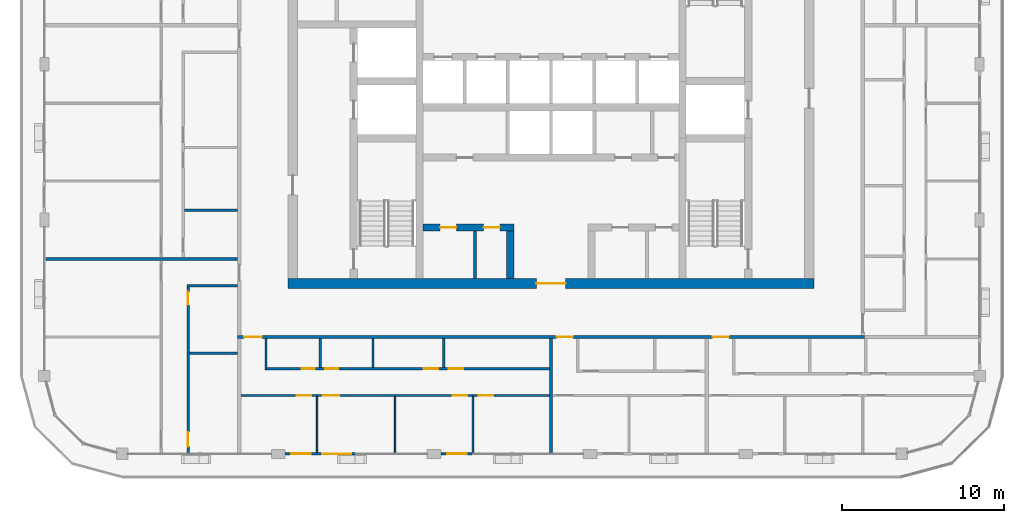
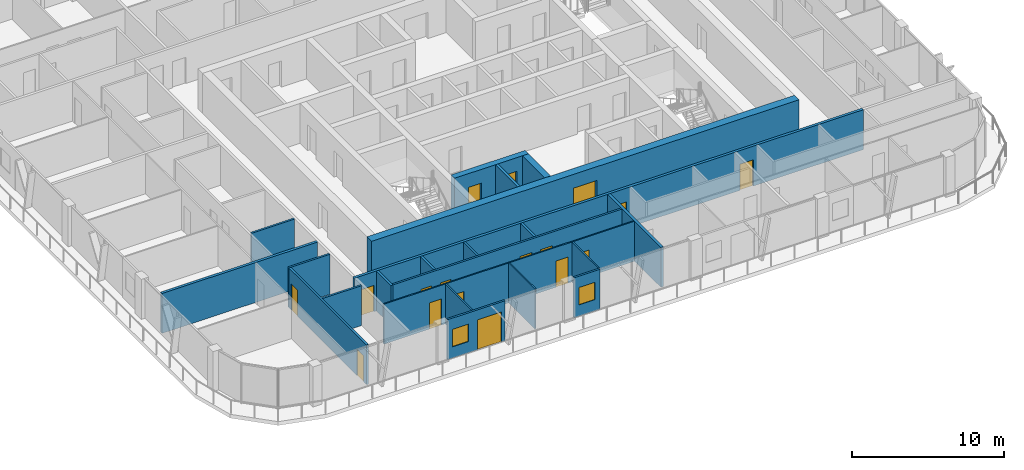
# One storey, part 9 of 21: 22 walls, 17 doors, 2 windows, 19 openings.
"""IFC4 building model written with IfcOpenShell, lengths in metres."""

from ifc_helpers import new_model, si_unit, direction, frame, frame_2d, origin, place, context, subcontext, project, spatial, rectangle, extrude, material, layer, layer_set, type_object, element, fill, save


model = new_model("IFC4")

# Units and contexts
model_context = context("Model", 3, precision=1e-05, world=origin(), true_north=direction((0.0, 1.0)))
body_context = subcontext(model_context, "Body", "Model", "MODEL_VIEW")
ifc_project = project(units=[si_unit("LENGTHUNIT", "METRE"), si_unit("AREAUNIT", "SQUARE_METRE"), si_unit("VOLUMEUNIT", "CUBIC_METRE"), si_unit("PLANEANGLEUNIT", "RADIAN"), si_unit("MASSUNIT", "GRAM", prefix="KILO")], contexts=[model_context])

# Site, building, storey
site_placement = place(None, origin())
site = spatial("IfcSite", under=ifc_project, at=site_placement, CompositionType="ELEMENT")
building_placement = place(site_placement, origin())
building = spatial("IfcBuilding", under=site, at=building_placement, Name="Madar Terraces", CompositionType="ELEMENT")
storey_placement = place(building_placement, frame((0.0, 0.0, 238.699951171875)))
storey = spatial("IfcBuildingStorey", under=building, at=storey_placement, Name="L62", CompositionType="ELEMENT", Elevation=238.699951171875)

# Wall, openings, doors
ifc_material_1 = material(Name="Concrete C55/67", Category="concrete")
ifc_layer_1 = layer(ifc_material_1, 0.449951171875)
ifc_layer_set_1 = layer_set([ifc_layer_1], Name="Concrete C55/67 (CIW5 RC wall 450)")
wall_type_1 = type_object("IfcWallType", Name="CIW5 RC wall 450", PredefinedType="SHEAR", material=ifc_layer_set_1)
wall_1_placement = place(storey_placement, frame((23.324951171875, 18.75, 0.0), z_axis=(0.0, 0.0, 1.0), x_axis=(1.0, 0.0, 0.0)))
wall_1 = element("IfcWall", 1, at=wall_1_placement, inside=storey, type_object=wall_type_1, Name="CORE SHAFT WALL", PredefinedType="SHEAR", context=body_context, shape_type="SweptSolid", body=[
    extrude(rectangle(XDim=5.60009765625, YDim=0.449951171875, at=frame_2d((2.800048828125, 0.0))), origin(), (0.0, 0.0, 1.0), 3.199951171875),
])
opening_1_placement = place(wall_1_placement, frame((1.04638671875, 0.0, 0.0)))
opening_1 = element("IfcOpeningElement", 2, at=opening_1_placement, cuts=wall_1, Name="Opening KD2", PredefinedType="OPENING", context=body_context, shape_type="SweptSolid", body=[
    extrude(rectangle(XDim=1.0, YDim=2.10009765625, at=frame_2d((0.5, 1.050048828125))), frame((0.0, 0.23486328125, 0.0), z_axis=(0.0, -1.0, 0.0), x_axis=(1.0, 0.0, 0.0)), (0.0, 0.0, 1.0), 0.469970703125),
])
opening_2_placement = place(wall_1_placement, frame((3.721435546875, 0.0, 0.0)))
opening_2 = element("IfcOpeningElement", 3, at=opening_2_placement, cuts=wall_1, Name="Opening KD2", PredefinedType="OPENING", context=body_context, shape_type="SweptSolid", body=[
    extrude(rectangle(XDim=1.0, YDim=2.10009765625, at=frame_2d((0.5, 1.050048828125))), frame((0.0, 0.23486328125, 0.0), z_axis=(0.0, -1.0, 0.0), x_axis=(1.0, 0.0, 0.0)), (0.0, 0.0, 1.0), 0.469970703125),
])
ifc_material_2 = material(Name="Steel door leaf", Category="steel")
door_type_1 = type_object("IfcDoorType", Name="Service room door 1000 x 2100", OperationType="NOTDEFINED", PredefinedType="DOOR", material=ifc_material_2)
door_1_placement = place(opening_1_placement, origin())
door_1 = element("IfcDoor", 4, at=door_1_placement, inside=storey, type_object=door_type_1, Name="SERVICE ROOM DOOR", OperationType="SINGLE_SWING_RIGHT", OverallHeight=2.10009765625, OverallWidth=1.0, PredefinedType="DOOR", context=body_context, shape_type="SweptSolid", body=[
    extrude(rectangle(XDim=1.0, YDim=2.10009765625, at=frame_2d((0.5, 1.050048828125))), frame((0.0, 0.02490234375, 0.0), z_axis=(0.0, -1.0, 0.0), x_axis=(1.0, 0.0, 0.0)), (0.0, 0.0, 1.0), 0.050048828125),
])
fill(opening_1, door_1)
door_2_placement = place(opening_2_placement, origin())
door_2 = element("IfcDoor", 5, at=door_2_placement, inside=storey, type_object=door_type_1, Name="SERVICE ROOM DOOR", OperationType="SINGLE_SWING_LEFT", OverallHeight=2.10009765625, OverallWidth=1.0, PredefinedType="DOOR", context=body_context, shape_type="SweptSolid", body=[
    extrude(rectangle(XDim=1.0, YDim=2.10009765625, at=frame_2d((0.5, 1.050048828125))), frame((0.0, 0.02490234375, 0.0), z_axis=(0.0, -1.0, 0.0), x_axis=(1.0, 0.0, 0.0)), (0.0, 0.0, 1.0), 0.050048828125),
])
fill(opening_2, door_2)

# Wall
wall_2_placement = place(storey_placement, frame((28.699951171875, 15.60009765625, 0.0), z_axis=(0.0, 0.0, 1.0), x_axis=(0.0, 1.0, 0.0)))
element("IfcWall", 6, at=wall_2_placement, inside=storey, type_object=wall_type_1, Name="CORE SHAFT WALL", PredefinedType="SHEAR", context=body_context, shape_type="SweptSolid", body=[
    extrude(rectangle(XDim=2.9248046875, YDim=0.449951171875, at=frame_2d((1.46240234375, 0.0))), origin(), (0.0, 0.0, 1.0), 3.199951171875),
])

# Wall, opening, door
ifc_material_3 = material(Name="Concrete C55/67", Category="concrete")
ifc_layer_2 = layer(ifc_material_3, 0.60009765625)
ifc_layer_set_2 = layer_set([ifc_layer_2], Name="Concrete C55/67 (CRW5 RC wall 600)")
wall_type_2 = type_object("IfcWallType", Name="CRW5 RC wall 600", PredefinedType="SHEAR", material=ifc_layer_set_2)
wall_3_placement = place(storey_placement, frame((15.0, 15.300048828125, 0.0), z_axis=(0.0, 0.0, 1.0), x_axis=(1.0, 0.0, 0.0)))
wall_3 = element("IfcWall", 7, at=wall_3_placement, inside=storey, type_object=wall_type_2, Name="CORE OUTER WALL", PredefinedType="SHEAR", context=body_context, shape_type="SweptSolid", body=[
    extrude(rectangle(XDim=32.39990234375, YDim=0.60009765625, at=frame_2d((16.199951171875, 0.0))), origin(), (0.0, 0.0, 1.0), 3.199951171875),
])
opening_3_placement = place(wall_3_placement, frame((15.300048828125, 0.0, 0.0)))
opening_3 = element("IfcOpeningElement", 8, at=opening_3_placement, cuts=wall_3, Name="Opening KD1", PredefinedType="OPENING", context=body_context, shape_type="SweptSolid", body=[
    extrude(rectangle(XDim=1.800048828125, YDim=2.10009765625, at=frame_2d((0.89990234375, 1.050048828125))), frame((0.0, 0.31005859375, 0.0), z_axis=(0.0, -1.0, 0.0), x_axis=(1.0, 0.0, 0.0)), (0.0, 0.0, 1.0), 0.6201171875),
])
ifc_material_4 = material(Name="Steel door leaf", Category="steel")
door_type_2 = type_object("IfcDoorType", Name="Lobby door pair 1800 x 2100", OperationType="DOUBLE_DOOR_SINGLE_SWING", PredefinedType="DOOR", material=ifc_material_4)
door_3_placement = place(opening_3_placement, frame((1.800048828125, 0.0, 0.0), z_axis=(0.0, 0.0, 1.0), x_axis=(-1.0, 0.0, 0.0)))
door_3 = element("IfcDoor", 9, at=door_3_placement, inside=storey, type_object=door_type_2, Name="LIFT LOBBY DOOR", OperationType="DOUBLE_DOOR_SINGLE_SWING", OverallHeight=2.10009765625, OverallWidth=1.800048828125, PredefinedType="DOOR", context=body_context, shape_type="SweptSolid", body=[
    extrude(rectangle(XDim=1.800048828125, YDim=2.10009765625, at=frame_2d((0.89990234375, 1.050048828125))), frame((0.0, 0.02490234375, 0.0), z_axis=(0.0, -1.0, 0.0), x_axis=(1.0, 0.0, 0.0)), (0.0, 0.0, 1.0), 0.050048828125),
])
fill(opening_3, door_3)

# Wall
ifc_material_5 = material(Name="Masonry blockwork", Category="masonry")
ifc_layer_3 = layer(ifc_material_5, 0.199951171875)
ifc_layer_set_3 = layer_set([ifc_layer_3], Name="Core partition 200 blockwork")
wall_type_3 = type_object("IfcWallType", Name="Core partition 200 blockwork", PredefinedType="PARTITIONING", material=ifc_layer_set_3)
wall_4_placement = place(storey_placement, frame((26.51806640625, 15.60009765625, 0.0), z_axis=(0.0, 0.0, 1.0), x_axis=(0.0, 1.0, 0.0)))
element("IfcWall", 10, at=wall_4_placement, inside=storey, type_object=wall_type_3, Name="SERVICE ROOM PARTITION", PredefinedType="PARTITIONING", context=body_context, shape_type="SweptSolid", body=[
    extrude(rectangle(XDim=2.9248046875, YDim=0.199951171875, at=frame_2d((1.46240234375, 0.0))), origin(), (0.0, 0.0, 1.0), 3.199951171875),
])

# Wall, openings, door, window
ifc_material_6 = material(Name="Aluminium composite panel, black, over insulated backing", Category="aluminium")
ifc_layer_4 = layer(ifc_material_6, 0.14990234375)
ifc_layer_set_4 = layer_set([ifc_layer_4], Name="Facade bay panel 150")
wall_type_4 = type_object("IfcWallType", Name="Facade bay panel 150", PredefinedType="SOLIDWALL", material=ifc_layer_set_4)
wall_5_placement = place(storey_placement, frame((14.824951171875, 4.800048828125, 0.0), z_axis=(0.0, 0.0, 1.0), x_axis=(1.0, 0.0, 0.0)))
wall_5 = element("IfcWall", 11, at=wall_5_placement, inside=storey, type_object=wall_type_4, Name="Facade bay panel", PredefinedType="SOLIDWALL", context=body_context, shape_type="SweptSolid", body=[
    extrude(rectangle(XDim=4.375, YDim=0.14990234375, at=frame_2d((2.1875, 0.0))), origin(), (0.0, 0.0, 1.0), 3.199951171875),
])
opening_4_placement = place(wall_5_placement, frame((0.387451171875, 0.0, 0.89990234375)))
opening_4 = element("IfcOpeningElement", 12, at=opening_4_placement, cuts=wall_5, Name="Opening W1", PredefinedType="OPENING", context=body_context, shape_type="SweptSolid", body=[
    extrude(rectangle(XDim=1.199951171875, YDim=1.39990234375, at=frame_2d((0.60009765625, 0.699951171875))), frame((0.0, 0.0849609375, 0.0), z_axis=(0.0, -1.0, 0.0), x_axis=(1.0, 0.0, 0.0)), (0.0, 0.0, 1.0), 0.169921875),
])
opening_5_placement = place(wall_5_placement, frame((2.27490234375, 0.0, 0.0)))
opening_5 = element("IfcOpeningElement", 13, at=opening_5_placement, cuts=wall_5, Name="Opening ED1", PredefinedType="OPENING", context=body_context, shape_type="SweptSolid", body=[
    extrude(rectangle(XDim=1.800048828125, YDim=2.39990234375, at=frame_2d((0.89990234375, 1.199951171875))), frame((0.0, 0.0849609375, 0.0), z_axis=(0.0, -1.0, 0.0), x_axis=(1.0, 0.0, 0.0)), (0.0, 0.0, 1.0), 0.169921875),
])
ifc_material_7 = material(Name="Glass, clear, with black aluminium frame", Category="aluminium")
door_type_3 = type_object("IfcDoorType", Name="Balcony and terrace sliding door 1800 x 2400", OperationType="SLIDING_TO_LEFT", PredefinedType="DOOR", material=ifc_material_7)
door_4_placement = place(opening_5_placement, origin())
door_4 = element("IfcDoor", 14, at=door_4_placement, inside=storey, type_object=door_type_3, Name="Balcony door", OperationType="SLIDING_TO_LEFT", OverallHeight=2.39990234375, OverallWidth=1.800048828125, PredefinedType="DOOR", context=body_context, shape_type="SweptSolid", body=[
    extrude(rectangle(XDim=1.800048828125, YDim=2.39990234375, at=frame_2d((0.89990234375, 1.199951171875))), frame((0.0, 0.02490234375, 0.0), z_axis=(0.0, -1.0, 0.0), x_axis=(1.0, 0.0, 0.0)), (0.0, 0.0, 1.0), 0.050048828125),
])
fill(opening_5, door_4)
ifc_material_8 = material(Name="Glass, clear, with black aluminium frame", Category="aluminium")
window_type = type_object("IfcWindowType", Name="Vent window 1200 x 1400", PartitioningType="SINGLE_PANEL", PredefinedType="WINDOW", material=ifc_material_8)
window_1_placement = place(opening_4_placement, origin())
window_1 = element("IfcWindow", 15, at=window_1_placement, inside=storey, type_object=window_type, Name="Operable vent window", OverallHeight=1.39990234375, OverallWidth=1.199951171875, PartitioningType="SINGLE_PANEL", PredefinedType="WINDOW", context=body_context, shape_type="SweptSolid", body=[
    extrude(rectangle(XDim=1.199951171875, YDim=1.39990234375, at=frame_2d((0.60009765625, 0.699951171875))), frame((0.0, 0.030029296875, 0.0), z_axis=(0.0, -1.0, 0.0), x_axis=(1.0, 0.0, 0.0)), (0.0, 0.0, 1.0), 0.06005859375),
])
fill(opening_4, window_1)

# Wall, opening, window
wall_6_placement = place(storey_placement, frame((24.425048828125, 4.800048828125, 0.0), z_axis=(0.0, 0.0, 1.0), x_axis=(1.0, 0.0, 0.0)))
wall_6 = element("IfcWall", 16, at=wall_6_placement, inside=storey, type_object=wall_type_4, Name="Facade bay panel", PredefinedType="SOLIDWALL", context=body_context, shape_type="SweptSolid", body=[
    extrude(rectangle(XDim=1.974853515625, YDim=0.14990234375, at=frame_2d((0.9873046875, 0.0))), origin(), (0.0, 0.0, 1.0), 3.199951171875),
])
opening_6_placement = place(wall_6_placement, frame((0.387451171875, 0.0, 0.89990234375)))
opening_6 = element("IfcOpeningElement", 17, at=opening_6_placement, cuts=wall_6, Name="Opening W1", PredefinedType="OPENING", context=body_context, shape_type="SweptSolid", body=[
    extrude(rectangle(XDim=1.199951171875, YDim=1.39990234375, at=frame_2d((0.60009765625, 0.699951171875))), frame((0.0, 0.0849609375, 0.0), z_axis=(0.0, -1.0, 0.0), x_axis=(1.0, 0.0, 0.0)), (0.0, 0.0, 1.0), 0.169921875),
])
window_2_placement = place(opening_6_placement, origin())
window_2 = element("IfcWindow", 18, at=window_2_placement, inside=storey, type_object=window_type, Name="Operable vent window", OverallHeight=1.39990234375, OverallWidth=1.199951171875, PartitioningType="SINGLE_PANEL", PredefinedType="WINDOW", context=body_context, shape_type="SweptSolid", body=[
    extrude(rectangle(XDim=1.199951171875, YDim=1.39990234375, at=frame_2d((0.60009765625, 0.699951171875))), frame((0.0, 0.030029296875, 0.0), z_axis=(0.0, -1.0, 0.0), x_axis=(1.0, 0.0, 0.0)), (0.0, 0.0, 1.0), 0.06005859375),
])
fill(opening_6, window_2)

# Walls
ifc_material_9 = material(Name="Gypsum board on steel studs", Category="steel")
ifc_layer_5 = layer(ifc_material_9, 0.10009765625)
ifc_layer_set_5 = layer_set([ifc_layer_5], Name="Flat partition 100")
wall_type_5 = type_object("IfcWallType", Name="Flat partition 100", PredefinedType="PARTITIONING", material=ifc_layer_set_5)
for number, where, z_axis, x_axis, name in (
    (19, (16.800048828125, 8.35009765625, 0.0), (0.0, 0.0, 1.0), (0.0, -1.0, 0.0), "Flat partition 100"),
    (20, (21.60009765625, 8.35009765625, 0.0), (0.0, 0.0, 1.0), (0.0, -1.0, 0.0), "Flat partition 100"),
    (21, (26.39990234375, 8.35009765625, 0.0), (0.0, 0.0, 1.0), (0.0, -1.0, 0.0), "Flat partition 100"),
):
    element("IfcWall", number, at=place(storey_placement, frame(where, z_axis=z_axis, x_axis=x_axis)), inside=storey, type_object=wall_type_5, Name=name, PredefinedType="PARTITIONING", context=body_context, shape_type="SweptSolid", body=[
        extrude(rectangle(XDim=3.4501953125, YDim=0.10009765625, at=frame_2d((1.72509765625, 0.0))), origin(), (0.0, 0.0, 1.0), 3.199951171875),
    ])

# Wall, openings, doors
wall_7_placement = place(storey_placement, frame((31.10009765625, 8.39990234375, 0.0), z_axis=(0.0, 0.0, 1.0), x_axis=(-1.0, 0.0, 0.0)))
wall_7 = element("IfcWall", 22, at=wall_7_placement, inside=storey, type_object=wall_type_5, Name="Flat partition 100", PredefinedType="PARTITIONING", context=body_context, shape_type="SweptSolid", body=[
    extrude(rectangle(XDim=19.0, YDim=0.10009765625, at=frame_2d((9.5, 0.0))), origin(), (0.0, 0.0, 1.0), 3.199951171875),
])
opening_7_placement = place(wall_7_placement, frame((14.64990234375, 0.0, 0.0)))
opening_7 = element("IfcOpeningElement", 23, at=opening_7_placement, cuts=wall_7, Name="Opening D2", PredefinedType="OPENING", context=body_context, shape_type="SweptSolid", body=[
    extrude(rectangle(XDim=0.89990234375, YDim=2.10009765625, at=frame_2d((0.449951171875, 1.050048828125))), frame((0.0, 0.06005859375, 0.0), z_axis=(0.0, -1.0, 0.0), x_axis=(1.0, 0.0, 0.0)), (0.0, 0.0, 1.0), 0.1201171875),
])
opening_8_placement = place(wall_7_placement, frame((12.949951171875, 0.0, 0.0)))
opening_8 = element("IfcOpeningElement", 24, at=opening_8_placement, cuts=wall_7, Name="Opening D3", PredefinedType="OPENING", context=body_context, shape_type="SweptSolid", body=[
    extrude(rectangle(XDim=1.0, YDim=2.10009765625, at=frame_2d((0.5, 1.050048828125))), frame((0.0, 0.06005859375, 0.0), z_axis=(0.0, -1.0, 0.0), x_axis=(1.0, 0.0, 0.0)), (0.0, 0.0, 1.0), 0.1201171875),
])
opening_9_placement = place(wall_7_placement, frame((5.050048828125, 0.0, 0.0)))
opening_9 = element("IfcOpeningElement", 25, at=opening_9_placement, cuts=wall_7, Name="Opening D2", PredefinedType="OPENING", context=body_context, shape_type="SweptSolid", body=[
    extrude(rectangle(XDim=0.89990234375, YDim=2.10009765625, at=frame_2d((0.449951171875, 1.050048828125))), frame((0.0, 0.06005859375, 0.0), z_axis=(0.0, -1.0, 0.0), x_axis=(1.0, 0.0, 0.0)), (0.0, 0.0, 1.0), 0.1201171875),
])
opening_10_placement = place(wall_7_placement, frame((3.449951171875, 0.0, 0.0)))
opening_10 = element("IfcOpeningElement", 26, at=opening_10_placement, cuts=wall_7, Name="Opening D2", PredefinedType="OPENING", context=body_context, shape_type="SweptSolid", body=[
    extrude(rectangle(XDim=0.89990234375, YDim=2.10009765625, at=frame_2d((0.449951171875, 1.050048828125))), frame((0.0, 0.06005859375, 0.0), z_axis=(0.0, -1.0, 0.0), x_axis=(1.0, 0.0, 0.0)), (0.0, 0.0, 1.0), 0.1201171875),
])
ifc_material_10 = material(Name="Timber door leaf", Category="wood")
door_type_4 = type_object("IfcDoorType", Name="Flat living room door 1000", OperationType="NOTDEFINED", PredefinedType="DOOR", material=ifc_material_10)
door_5_placement = place(opening_8_placement, origin())
door_5 = element("IfcDoor", 27, at=door_5_placement, inside=storey, type_object=door_type_4, Name="Flat living room door 1000", OperationType="SINGLE_SWING_RIGHT", OverallHeight=2.10009765625, OverallWidth=1.0, PredefinedType="DOOR", context=body_context, shape_type="SweptSolid", body=[
    extrude(rectangle(XDim=1.0, YDim=2.10009765625, at=frame_2d((0.5, 1.050048828125))), frame((0.0, 0.02490234375, 0.0), z_axis=(0.0, -1.0, 0.0), x_axis=(1.0, 0.0, 0.0)), (0.0, 0.0, 1.0), 0.050048828125),
])
fill(opening_8, door_5)
ifc_material_11 = material(Name="Timber door leaf", Category="wood")
door_type_5 = type_object("IfcDoorType", Name="Flat room door 900", OperationType="NOTDEFINED", PredefinedType="DOOR", material=ifc_material_11)
door_6_placement = place(opening_7_placement, origin())
door_6 = element("IfcDoor", 28, at=door_6_placement, inside=storey, type_object=door_type_5, Name="Flat room door 900", OperationType="SINGLE_SWING_LEFT", OverallHeight=2.10009765625, OverallWidth=0.89990234375, PredefinedType="DOOR", context=body_context, shape_type="SweptSolid", body=[
    extrude(rectangle(XDim=0.89990234375, YDim=2.10009765625, at=frame_2d((0.449951171875, 1.050048828125))), frame((0.0, 0.02490234375, 0.0), z_axis=(0.0, -1.0, 0.0), x_axis=(1.0, 0.0, 0.0)), (0.0, 0.0, 1.0), 0.050048828125),
])
fill(opening_7, door_6)
door_7_placement = place(opening_9_placement, origin())
door_7 = element("IfcDoor", 29, at=door_7_placement, inside=storey, type_object=door_type_5, Name="Flat room door 900", OperationType="SINGLE_SWING_LEFT", OverallHeight=2.10009765625, OverallWidth=0.89990234375, PredefinedType="DOOR", context=body_context, shape_type="SweptSolid", body=[
    extrude(rectangle(XDim=0.89990234375, YDim=2.10009765625, at=frame_2d((0.449951171875, 1.050048828125))), frame((0.0, 0.02490234375, 0.0), z_axis=(0.0, -1.0, 0.0), x_axis=(1.0, 0.0, 0.0)), (0.0, 0.0, 1.0), 0.050048828125),
])
fill(opening_9, door_7)
door_8_placement = place(opening_10_placement, origin())
door_8 = element("IfcDoor", 30, at=door_8_placement, inside=storey, type_object=door_type_5, Name="Flat room door 900", OperationType="SINGLE_SWING_RIGHT", OverallHeight=2.10009765625, OverallWidth=0.89990234375, PredefinedType="DOOR", context=body_context, shape_type="SweptSolid", body=[
    extrude(rectangle(XDim=0.89990234375, YDim=2.10009765625, at=frame_2d((0.449951171875, 1.050048828125))), frame((0.0, 0.02490234375, 0.0), z_axis=(0.0, -1.0, 0.0), x_axis=(1.0, 0.0, 0.0)), (0.0, 0.0, 1.0), 0.050048828125),
])
fill(opening_10, door_8)

ifc_material_12 = material(Name="Lightweight blockwork", Category="masonry")
ifc_layer_6 = layer(ifc_material_12, 0.199951171875)
ifc_layer_set_6 = layer_set([ifc_layer_6], Name="Flat party and entrance wall 200")
wall_type_6 = type_object("IfcWallType", Name="Flat party and entrance wall 200", PredefinedType="PARTITIONING", material=ifc_layer_set_6)
wall_8_placement = place(storey_placement, frame((50.5, 12.0, 0.0), z_axis=(0.0, 0.0, 1.0), x_axis=(-1.0, 0.0, 0.0)))
wall_8 = element("IfcWall", 31, at=wall_8_placement, inside=storey, type_object=wall_type_6, Name="Flat party and entrance wall 200", PredefinedType="PARTITIONING", context=body_context, shape_type="SweptSolid", body=[
    extrude(rectangle(XDim=38.60009765625, YDim=0.199951171875, at=frame_2d((19.300048828125, 0.0))), origin(), (0.0, 0.0, 1.0), 3.199951171875),
])
opening_11_placement = place(wall_8_placement, frame((37.10009765625, 0.0, 0.0)))
opening_11 = element("IfcOpeningElement", 32, at=opening_11_placement, cuts=wall_8, Name="Opening D6", PredefinedType="OPENING", context=body_context, shape_type="SweptSolid", body=[
    extrude(rectangle(XDim=1.10009765625, YDim=2.10009765625, at=frame_2d((0.550048828125, 1.050048828125))), frame((0.0, 0.10986328125, 0.0), z_axis=(0.0, -1.0, 0.0), x_axis=(1.0, 0.0, 0.0)), (0.0, 0.0, 1.0), 0.219970703125),
])
opening_12_placement = place(wall_8_placement, frame((17.949951171875, 0.0, 0.0)))
opening_12 = element("IfcOpeningElement", 33, at=opening_12_placement, cuts=wall_8, Name="Opening D1", PredefinedType="OPENING", context=body_context, shape_type="SweptSolid", body=[
    extrude(rectangle(XDim=1.0, YDim=2.10009765625, at=frame_2d((0.5, 1.050048828125))), frame((0.0, 0.10986328125, 0.0), z_axis=(0.0, -1.0, 0.0), x_axis=(1.0, 0.0, 0.0)), (0.0, 0.0, 1.0), 0.219970703125),
])
opening_13_placement = place(wall_8_placement, frame((8.35009765625, 0.0, 0.0)))
opening_13 = element("IfcOpeningElement", 34, at=opening_13_placement, cuts=wall_8, Name="Opening D1", PredefinedType="OPENING", context=body_context, shape_type="SweptSolid", body=[
    extrude(rectangle(XDim=1.0, YDim=2.10009765625, at=frame_2d((0.5, 1.050048828125))), frame((0.0, 0.10986328125, 0.0), z_axis=(0.0, -1.0, 0.0), x_axis=(1.0, 0.0, 0.0)), (0.0, 0.0, 1.0), 0.219970703125),
])
ifc_material_13 = material(Name="Timber fire door leaf", Category="wood")
door_type_6 = type_object("IfcDoorType", Name="Flat entrance door 1000 FD30S", OperationType="NOTDEFINED", PredefinedType="DOOR", material=ifc_material_13)
door_9_placement = place(opening_12_placement, origin())
door_9 = element("IfcDoor", 35, at=door_9_placement, inside=storey, type_object=door_type_6, Name="Flat entrance door 1000 FD30S", OperationType="SINGLE_SWING_RIGHT", OverallHeight=2.10009765625, OverallWidth=1.0, PredefinedType="DOOR", context=body_context, shape_type="SweptSolid", body=[
    extrude(rectangle(XDim=1.0, YDim=2.10009765625, at=frame_2d((0.5, 1.050048828125))), frame((0.0, 0.02490234375, 0.0), z_axis=(0.0, -1.0, 0.0), x_axis=(1.0, 0.0, 0.0)), (0.0, 0.0, 1.0), 0.050048828125),
])
fill(opening_12, door_9)
door_10_placement = place(opening_13_placement, origin())
door_10 = element("IfcDoor", 36, at=door_10_placement, inside=storey, type_object=door_type_6, Name="Flat entrance door 1000 FD30S", OperationType="SINGLE_SWING_RIGHT", OverallHeight=2.10009765625, OverallWidth=1.0, PredefinedType="DOOR", context=body_context, shape_type="SweptSolid", body=[
    extrude(rectangle(XDim=1.0, YDim=2.10009765625, at=frame_2d((0.5, 1.050048828125))), frame((0.0, 0.02490234375, 0.0), z_axis=(0.0, -1.0, 0.0), x_axis=(1.0, 0.0, 0.0)), (0.0, 0.0, 1.0), 0.050048828125),
])
fill(opening_13, door_10)
ifc_material_14 = material(Name="Timber fire door leaf", Category="wood")
door_type_7 = type_object("IfcDoorType", Name="Flat entrance door 1100 FD30S", OperationType="NOTDEFINED", PredefinedType="DOOR", material=ifc_material_14)
door_11_placement = place(opening_11_placement, origin())
door_11 = element("IfcDoor", 37, at=door_11_placement, inside=storey, type_object=door_type_7, Name="Flat entrance door 1100 FD30S", OperationType="SINGLE_SWING_RIGHT", OverallHeight=2.10009765625, OverallWidth=1.10009765625, PredefinedType="DOOR", context=body_context, shape_type="SweptSolid", body=[
    extrude(rectangle(XDim=1.10009765625, YDim=2.10009765625, at=frame_2d((0.550048828125, 1.050048828125))), frame((0.0, 0.02490234375, 0.0), z_axis=(0.0, -1.0, 0.0), x_axis=(1.0, 0.0, 0.0)), (0.0, 0.0, 1.0), 0.050048828125),
])
fill(opening_11, door_11)

# Walls
wall_9_placement = place(storey_placement, frame((31.199951171875, 11.89990234375, 0.0), z_axis=(0.0, 0.0, 1.0), x_axis=(0.0, -1.0, 0.0)))
element("IfcWall", 38, at=wall_9_placement, inside=storey, type_object=wall_type_6, Name="Flat party and entrance wall 200", PredefinedType="PARTITIONING", context=body_context, shape_type="SweptSolid", body=[
    extrude(rectangle(XDim=7.0, YDim=0.199951171875, at=frame_2d((3.5, 0.0))), origin(), (0.0, 0.0, 1.0), 3.199951171875),
])
wall_10_placement = place(storey_placement, frame((0.10009765625, 16.800048828125, 0.0), z_axis=(0.0, 0.0, 1.0), x_axis=(1.0, 0.0, 0.0)))
element("IfcWall", 39, at=wall_10_placement, inside=storey, type_object=wall_type_6, Name="Flat party and entrance wall 200", PredefinedType="PARTITIONING", context=body_context, shape_type="SweptSolid", body=[
    extrude(rectangle(XDim=11.7998046875, YDim=0.199951171875, at=frame_2d((5.89990234375, 0.0))), origin(), (0.0, 0.0, 1.0), 3.199951171875),
])
ifc_material_15 = material(Name="Lightweight blockwork", Category="masonry")
ifc_layer_7 = layer(ifc_material_15, 0.14990234375)
ifc_layer_set_7 = layer_set([ifc_layer_7], Name="Flat wet-room partition 150")
wall_type_7 = type_object("IfcWallType", Name="Flat wet-room partition 150", PredefinedType="PARTITIONING", material=ifc_layer_set_7)
for number, where, z_axis, x_axis, name in (
    (40, (16.98291015625, 11.89990234375, 0.0), (0.0, 0.0, 1.0), (0.0, -1.0, 0.0), "Flat wet-room partition 150"),
    (41, (20.240478515625, 11.89990234375, 0.0), (0.0, 0.0, 1.0), (0.0, -1.0, 0.0), "Flat wet-room partition 150"),
    (42, (24.58447265625, 11.89990234375, 0.0), (0.0, 0.0, 1.0), (0.0, -1.0, 0.0), "Flat wet-room partition 150"),
):
    element("IfcWall", number, at=place(storey_placement, frame(where, z_axis=z_axis, x_axis=x_axis)), inside=storey, type_object=wall_type_7, Name=name, PredefinedType="PARTITIONING", context=body_context, shape_type="SweptSolid", body=[
        extrude(rectangle(XDim=1.77490234375, YDim=0.14990234375, at=frame_2d((0.887451171875, 0.0))), origin(), (0.0, 0.0, 1.0), 3.199951171875),
    ])
wall_11_placement = place(storey_placement, frame((13.64990234375, 11.89990234375, 0.0), z_axis=(0.0, 0.0, 1.0), x_axis=(0.0, -1.0, 0.0)))
element("IfcWall", 43, at=wall_11_placement, inside=storey, type_object=wall_type_7, Name="Flat wet-room partition 150", PredefinedType="PARTITIONING", context=body_context, shape_type="SweptSolid", body=[
    extrude(rectangle(XDim=1.9248046875, YDim=0.14990234375, at=frame_2d((0.96240234375, 0.0))), origin(), (0.0, 0.0, 1.0), 3.199951171875),
])

# Wall, openings, doors
wall_12_placement = place(storey_placement, frame((13.72509765625, 10.050048828125, 0.0), z_axis=(0.0, 0.0, 1.0), x_axis=(1.0, 0.0, 0.0)))
wall_12 = element("IfcWall", 44, at=wall_12_placement, inside=storey, type_object=wall_type_7, Name="Flat wet-room partition 150", PredefinedType="PARTITIONING", context=body_context, shape_type="SweptSolid", body=[
    extrude(rectangle(XDim=17.375, YDim=0.14990234375, at=frame_2d((8.6875, 0.0))), origin(), (0.0, 0.0, 1.0), 3.199951171875),
])
opening_14_placement = place(wall_12_placement, frame((2.1328125, 0.0, 0.0)))
opening_14 = element("IfcOpeningElement", 45, at=opening_14_placement, cuts=wall_12, Name="Opening D7", PredefinedType="OPENING", context=body_context, shape_type="SweptSolid", body=[
    extrude(rectangle(XDim=0.800048828125, YDim=2.10009765625, at=frame_2d((0.39990234375, 1.050048828125))), frame((0.0, 0.0849609375, 0.0), z_axis=(0.0, -1.0, 0.0), x_axis=(1.0, 0.0, 0.0)), (0.0, 0.0, 1.0), 0.169921875),
])
opening_15_placement = place(wall_12_placement, frame((3.582763671875, 0.0, 0.0)))
opening_15 = element("IfcOpeningElement", 46, at=opening_15_placement, cuts=wall_12, Name="Opening D4", PredefinedType="OPENING", context=body_context, shape_type="SweptSolid", body=[
    extrude(rectangle(XDim=0.800048828125, YDim=2.10009765625, at=frame_2d((0.39990234375, 1.050048828125))), frame((0.0, 0.0849609375, 0.0), z_axis=(0.0, -1.0, 0.0), x_axis=(1.0, 0.0, 0.0)), (0.0, 0.0, 1.0), 0.169921875),
])
opening_16_placement = place(wall_12_placement, frame((9.634521484375, 0.0, 0.0)))
opening_16 = element("IfcOpeningElement", 47, at=opening_16_placement, cuts=wall_12, Name="Opening D5", PredefinedType="OPENING", context=body_context, shape_type="SweptSolid", body=[
    extrude(rectangle(XDim=0.89990234375, YDim=2.10009765625, at=frame_2d((0.449951171875, 1.050048828125))), frame((0.0, 0.0849609375, 0.0), z_axis=(0.0, -1.0, 0.0), x_axis=(1.0, 0.0, 0.0)), (0.0, 0.0, 1.0), 0.169921875),
])
opening_17_placement = place(wall_12_placement, frame((11.184326171875, 0.0, 0.0)))
opening_17 = element("IfcOpeningElement", 48, at=opening_17_placement, cuts=wall_12, Name="Opening D2", PredefinedType="OPENING", context=body_context, shape_type="SweptSolid", body=[
    extrude(rectangle(XDim=0.89990234375, YDim=2.10009765625, at=frame_2d((0.449951171875, 1.050048828125))), frame((0.0, 0.0849609375, 0.0), z_axis=(0.0, -1.0, 0.0), x_axis=(1.0, 0.0, 0.0)), (0.0, 0.0, 1.0), 0.169921875),
])
ifc_material_16 = material(Name="Timber door leaf", Category="wood")
door_type_8 = type_object("IfcDoorType", Name="Flat accessible bathroom door 900", OperationType="NOTDEFINED", PredefinedType="DOOR", material=ifc_material_16)
door_12_placement = place(opening_16_placement, origin())
door_12 = element("IfcDoor", 49, at=door_12_placement, inside=storey, type_object=door_type_8, Name="Flat accessible bathroom door 900", OperationType="SINGLE_SWING_RIGHT", OverallHeight=2.10009765625, OverallWidth=0.89990234375, PredefinedType="DOOR", context=body_context, shape_type="SweptSolid", body=[
    extrude(rectangle(XDim=0.89990234375, YDim=2.10009765625, at=frame_2d((0.449951171875, 1.050048828125))), frame((0.0, 0.02490234375, 0.0), z_axis=(0.0, -1.0, 0.0), x_axis=(1.0, 0.0, 0.0)), (0.0, 0.0, 1.0), 0.050048828125),
])
fill(opening_16, door_12)
ifc_material_17 = material(Name="Timber door leaf", Category="wood")
door_type_9 = type_object("IfcDoorType", Name="Flat bathroom door 800", OperationType="NOTDEFINED", PredefinedType="DOOR", material=ifc_material_17)
door_13_placement = place(opening_15_placement, origin())
door_13 = element("IfcDoor", 50, at=door_13_placement, inside=storey, type_object=door_type_9, Name="Flat bathroom door 800", OperationType="SINGLE_SWING_LEFT", OverallHeight=2.10009765625, OverallWidth=0.800048828125, PredefinedType="DOOR", context=body_context, shape_type="SweptSolid", body=[
    extrude(rectangle(XDim=0.800048828125, YDim=2.10009765625, at=frame_2d((0.39990234375, 1.050048828125))), frame((0.0, 0.02490234375, 0.0), z_axis=(0.0, -1.0, 0.0), x_axis=(1.0, 0.0, 0.0)), (0.0, 0.0, 1.0), 0.050048828125),
])
fill(opening_15, door_13)
door_14_placement = place(opening_17_placement, origin())
door_14 = element("IfcDoor", 51, at=door_14_placement, inside=storey, type_object=door_type_5, Name="Flat room door 900", OperationType="SINGLE_SWING_LEFT", OverallHeight=2.10009765625, OverallWidth=0.89990234375, PredefinedType="DOOR", context=body_context, shape_type="SweptSolid", body=[
    extrude(rectangle(XDim=0.89990234375, YDim=2.10009765625, at=frame_2d((0.449951171875, 1.050048828125))), frame((0.0, 0.02490234375, 0.0), z_axis=(0.0, -1.0, 0.0), x_axis=(1.0, 0.0, 0.0)), (0.0, 0.0, 1.0), 0.050048828125),
])
fill(opening_17, door_14)
ifc_material_18 = material(Name="Timber door leaf", Category="wood")
door_type_10 = type_object("IfcDoorType", Name="Flat utility door 800", OperationType="NOTDEFINED", PredefinedType="DOOR", material=ifc_material_18)
door_15_placement = place(opening_14_placement, origin())
door_15 = element("IfcDoor", 52, at=door_15_placement, inside=storey, type_object=door_type_10, Name="Flat utility door 800", OperationType="SINGLE_SWING_RIGHT", OverallHeight=2.10009765625, OverallWidth=0.800048828125, PredefinedType="DOOR", context=body_context, shape_type="SweptSolid", body=[
    extrude(rectangle(XDim=0.800048828125, YDim=2.10009765625, at=frame_2d((0.39990234375, 1.050048828125))), frame((0.0, 0.02490234375, 0.0), z_axis=(0.0, -1.0, 0.0), x_axis=(1.0, 0.0, 0.0)), (0.0, 0.0, 1.0), 0.050048828125),
])
fill(opening_14, door_15)

# Walls
wall_13_placement = place(storey_placement, frame((11.89990234375, 19.802001953125, 0.0), z_axis=(0.0, 0.0, 1.0), x_axis=(-1.0, 0.0, 0.0)))
element("IfcWall", 53, at=wall_13_placement, inside=storey, type_object=wall_type_7, Name="Flat wet-room partition 150", PredefinedType="PARTITIONING", context=body_context, shape_type="SweptSolid", body=[
    extrude(rectangle(XDim=3.27490234375, YDim=0.14990234375, at=frame_2d((1.637451171875, 0.0))), origin(), (0.0, 0.0, 1.0), 3.199951171875),
])
wall_14_placement = place(storey_placement, frame((11.89990234375, 11.0048828125, 0.0), z_axis=(0.0, 0.0, 1.0), x_axis=(-1.0, 0.0, 0.0)))
element("IfcWall", 54, at=wall_14_placement, inside=storey, type_object=wall_type_7, Name="Flat wet-room partition 150", PredefinedType="PARTITIONING", context=body_context, shape_type="SweptSolid", body=[
    extrude(rectangle(XDim=2.974853515625, YDim=0.14990234375, at=frame_2d((1.4873046875, 0.0))), origin(), (0.0, 0.0, 1.0), 3.199951171875),
])
wall_15_placement = place(storey_placement, frame((11.89990234375, 15.14990234375, 0.0), z_axis=(0.0, 0.0, 1.0), x_axis=(-1.0, 0.0, 0.0)))
element("IfcWall", 55, at=wall_15_placement, inside=storey, type_object=wall_type_7, Name="Flat wet-room partition 150", PredefinedType="PARTITIONING", context=body_context, shape_type="SweptSolid", body=[
    extrude(rectangle(XDim=3.125, YDim=0.14990234375, at=frame_2d((1.5625, 0.0))), origin(), (0.0, 0.0, 1.0), 3.199951171875),
])

# Wall, openings, doors
wall_16_placement = place(storey_placement, frame((8.85009765625, 15.074951171875, 0.0), z_axis=(0.0, 0.0, 1.0), x_axis=(0.0, -1.0, 0.0)))
wall_16 = element("IfcWall", 56, at=wall_16_placement, inside=storey, type_object=wall_type_7, Name="Flat wet-room partition 150", PredefinedType="PARTITIONING", context=body_context, shape_type="SweptSolid", body=[
    extrude(rectangle(XDim=10.175048828125, YDim=0.14990234375, at=frame_2d((5.08740234375, 0.0))), origin(), (0.0, 0.0, 1.0), 3.199951171875),
])
opening_18_placement = place(wall_16_placement, frame((0.300048828125, 0.0, 0.0)))
opening_18 = element("IfcOpeningElement", 57, at=opening_18_placement, cuts=wall_16, Name="Opening D4", PredefinedType="OPENING", context=body_context, shape_type="SweptSolid", body=[
    extrude(rectangle(XDim=0.800048828125, YDim=2.10009765625, at=frame_2d((0.39990234375, 1.050048828125))), frame((0.0, 0.0849609375, 0.0), z_axis=(0.0, -1.0, 0.0), x_axis=(1.0, 0.0, 0.0)), (0.0, 0.0, 1.0), 0.169921875),
])
opening_19_placement = place(wall_16_placement, frame((8.925048828125, 0.0, 0.0)))
opening_19 = element("IfcOpeningElement", 58, at=opening_19_placement, cuts=wall_16, Name="Opening D2", PredefinedType="OPENING", context=body_context, shape_type="SweptSolid", body=[
    extrude(rectangle(XDim=0.89990234375, YDim=2.10009765625, at=frame_2d((0.449951171875, 1.050048828125))), frame((0.0, 0.0849609375, 0.0), z_axis=(0.0, -1.0, 0.0), x_axis=(1.0, 0.0, 0.0)), (0.0, 0.0, 1.0), 0.169921875),
])
door_16_placement = place(opening_18_placement, origin())
door_16 = element("IfcDoor", 59, at=door_16_placement, inside=storey, type_object=door_type_9, Name="Flat bathroom door 800", OperationType="SINGLE_SWING_LEFT", OverallHeight=2.10009765625, OverallWidth=0.800048828125, PredefinedType="DOOR", context=body_context, shape_type="SweptSolid", body=[
    extrude(rectangle(XDim=0.800048828125, YDim=2.10009765625, at=frame_2d((0.39990234375, 1.050048828125))), frame((0.0, 0.02490234375, 0.0), z_axis=(0.0, -1.0, 0.0), x_axis=(1.0, 0.0, 0.0)), (0.0, 0.0, 1.0), 0.050048828125),
])
fill(opening_18, door_16)
door_17_placement = place(opening_19_placement, origin())
door_17 = element("IfcDoor", 60, at=door_17_placement, inside=storey, type_object=door_type_5, Name="Flat room door 900", OperationType="SINGLE_SWING_RIGHT", OverallHeight=2.10009765625, OverallWidth=0.89990234375, PredefinedType="DOOR", context=body_context, shape_type="SweptSolid", body=[
    extrude(rectangle(XDim=0.89990234375, YDim=2.10009765625, at=frame_2d((0.449951171875, 1.050048828125))), frame((0.0, 0.02490234375, 0.0), z_axis=(0.0, -1.0, 0.0), x_axis=(1.0, 0.0, 0.0)), (0.0, 0.0, 1.0), 0.050048828125),
])
fill(opening_19, door_17)

save(model, "model.ifc")
